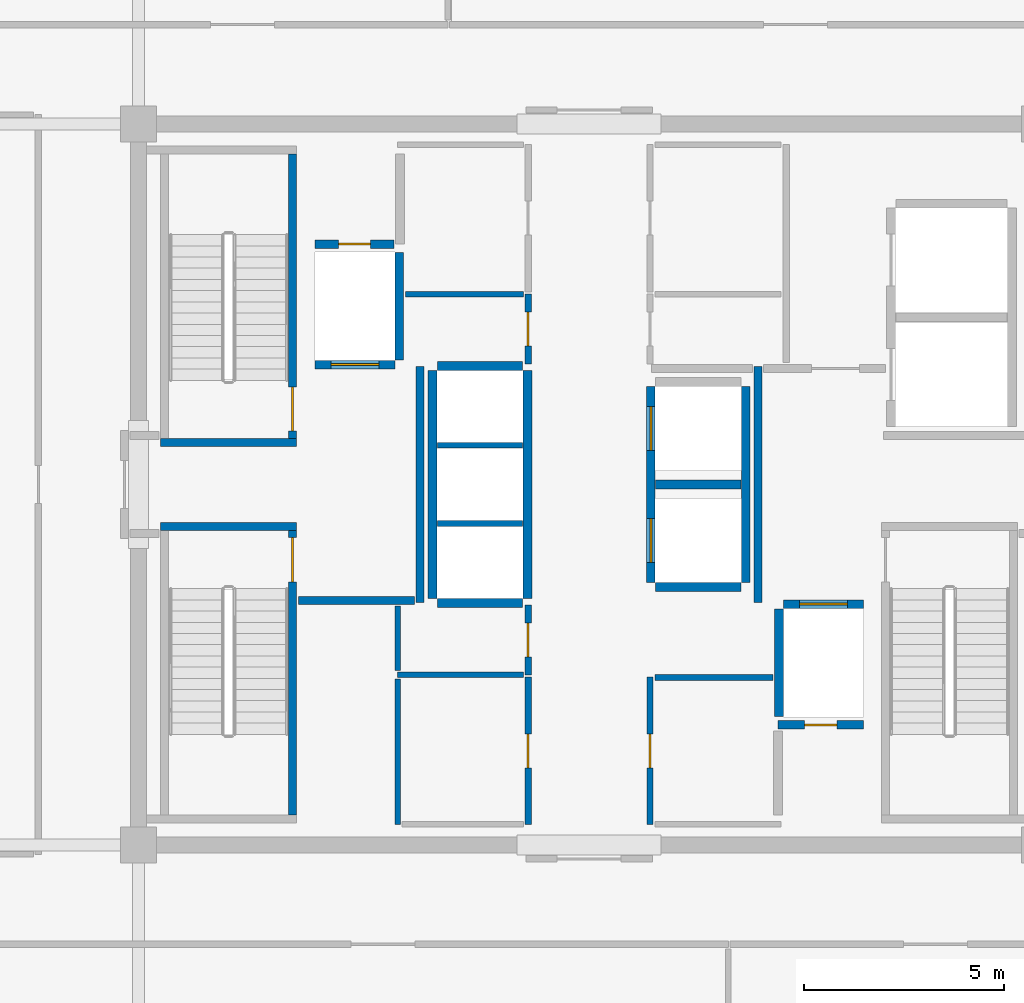
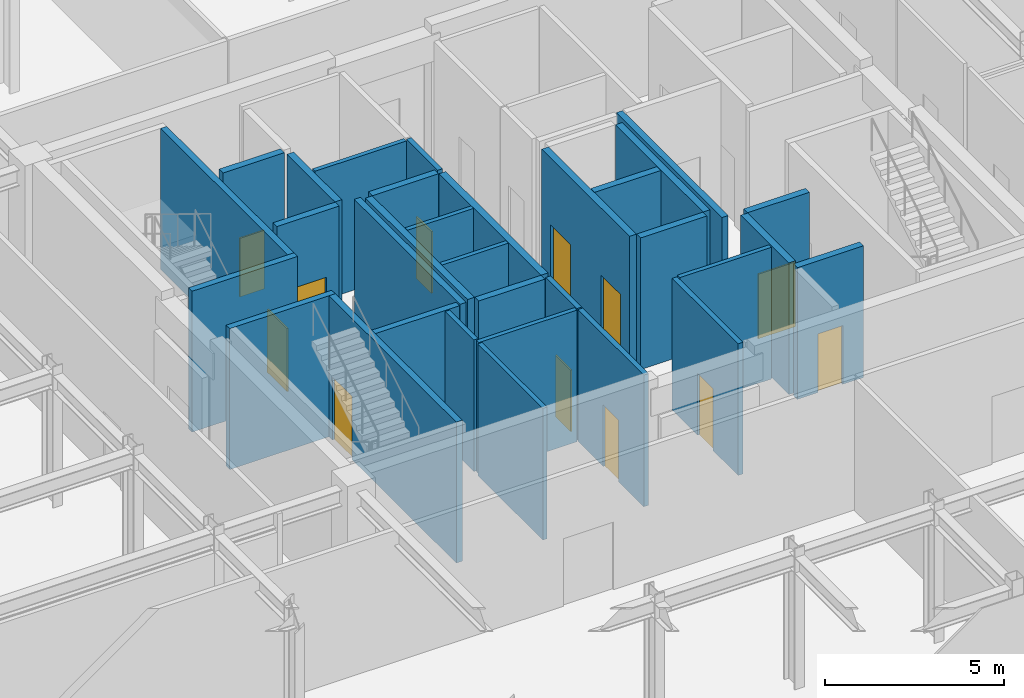
# One storey, part 13 of 17: 32 walls, 12 doors, 12 openings.
"""IFC4 building model written with IfcOpenShell, lengths in metres."""

from ifc_helpers import new_model, si_unit, direction, frame, frame_2d, origin, place, context, subcontext, project, spatial, rectangle, extrude, source, transform, mapped, material, layer, layer_set, type_object, element, fill, save


model = new_model("IFC4")

# Units and contexts
model_context = context("Model", 3, precision=1e-05, world=origin(), true_north=direction((0.0, 1.0)))
body_context = subcontext(model_context, "Body", "Model", "MODEL_VIEW")
ifc_project = project(units=[si_unit("LENGTHUNIT", "METRE"), si_unit("AREAUNIT", "SQUARE_METRE"), si_unit("VOLUMEUNIT", "CUBIC_METRE"), si_unit("PLANEANGLEUNIT", "RADIAN"), si_unit("MASSUNIT", "GRAM", prefix="KILO")], contexts=[model_context])

# Site, building, storey
site_placement = place(None, origin())
site = spatial("IfcSite", under=ifc_project, at=site_placement, CompositionType="ELEMENT")
building_placement = place(site_placement, origin())
building = spatial("IfcBuilding", under=site, at=building_placement, Name="Nefas-Gora Pilgrimage Tower", CompositionType="ELEMENT")
storey_placement = place(building_placement, frame((0.0, 0.0, 349.0)))
storey = spatial("IfcBuildingStorey", under=building, at=storey_placement, Name="L88", CompositionType="ELEMENT", Elevation=349.0)

# Walls
ifc_material_1 = material(Name="Concrete C45/55", Category="concrete")
ifc_layer_1 = layer(ifc_material_1, 0.199951171875)
ifc_layer_set_1 = layer_set([ifc_layer_1], Name="Concrete C45/55")
wall_type_1 = type_object("IfcWallType", Name="IW-STAIR-200", PredefinedType="SOLIDWALL", material=ifc_layer_set_1)
shared_shape_1 = source(origin(), body_context, "Body", "SweptSolid", [
    extrude(rectangle(XDim=3.39990234375, YDim=0.199951171875, at=frame_2d((1.699951171875, 0.0))), origin(), (0.0, 0.0, 1.0), 4.800048828125),
])
for number, where, z_axis, x_axis, name in (
    (1, (-7.300048828125, 1.050048828125, 0.0), (0.0, 0.0, 1.0), (-1.0, 0.0, 0.0), "L88 Stairwell Shear Wall ST-01-near"),
    (2, (-10.699951171875, -1.050048828125, 0.0), (0.0, 0.0, 1.0), (1.0, 0.0, 0.0), "L88 Stairwell Shear Wall ST-03-near"),
):
    element("IfcWall", number, at=place(storey_placement, frame(where, z_axis=z_axis, x_axis=x_axis)), inside=storey, type_object=wall_type_1, Name=name, PredefinedType="SOLIDWALL", context=body_context, shape_type="MappedRepresentation", body=[
        mapped(shared_shape_1, transform((0.0, 0.0, 0.0), x_axis=(1.0, 0.0, 0.0), y_axis=(0.0, 1.0, 0.0), z_axis=(0.0, 0.0, 1.0), scale=1.0)),
    ])

# Wall, opening, door
shared_shape_2 = source(origin(), body_context, "Body", "SweptSolid", [
    extrude(rectangle(XDim=7.10009765625, YDim=0.199951171875, at=frame_2d((3.550048828125, 0.0))), origin(), (0.0, 0.0, 1.0), 4.800048828125),
])
wall_1_placement = place(storey_placement, frame((-7.39990234375, 1.14990234375, 0.0), z_axis=(0.0, 0.0, 1.0), x_axis=(0.0, 1.0, 0.0)))
wall_1 = element("IfcWall", 3, at=wall_1_placement, inside=storey, type_object=wall_type_1, Name="L88 Stairwell Shear Wall ST-01-left", PredefinedType="SOLIDWALL", context=body_context, shape_type="MappedRepresentation", body=[
    mapped(shared_shape_2, transform((0.0, 0.0, 0.0), x_axis=(1.0, 0.0, 0.0), y_axis=(0.0, 1.0, 0.0), z_axis=(0.0, 0.0, 1.0), scale=1.0)),
])
opening_1_placement = place(wall_1_placement, frame((0.179931640625, 0.0, 0.0)))
opening_1 = element("IfcOpeningElement", 4, at=opening_1_placement, cuts=wall_1, Name="Opening ID-ST1", PredefinedType="OPENING", context=body_context, shape_type="SweptSolid", body=[
    extrude(rectangle(XDim=1.10009765625, YDim=2.14990234375, at=frame_2d((0.550048828125, 1.074951171875))), frame((0.0, 0.10986328125, 0.0), z_axis=(0.0, -1.0, 0.0), x_axis=(1.0, 0.0, 0.0)), (0.0, 0.0, 1.0), 0.219970703125),
])
ifc_material_2 = material(Name="Painted galvanised steel fire stair door", Category="steel")
door_type_1 = type_object("IfcDoorType", Name="DR-INT-STAIR-1100", OperationType="NOTDEFINED", PredefinedType="DOOR", material=ifc_material_2)
shared_shape_3 = source(origin(), body_context, "Body", "SweptSolid", [
    extrude(rectangle(XDim=1.10009765625, YDim=2.14990234375, at=frame_2d((0.550048828125, 1.074951171875))), frame((0.0, 0.02490234375, 0.0), z_axis=(0.0, -1.0, 0.0), x_axis=(1.0, 0.0, 0.0)), (0.0, 0.0, 1.0), 0.050048828125),
])
door_1_placement = place(opening_1_placement, origin())
door_1 = element("IfcDoor", 5, at=door_1_placement, inside=storey, type_object=door_type_1, Name="L88 Protected Exit Stair Door ST-01", OperationType="SINGLE_SWING_RIGHT", OverallHeight=2.14990234375, OverallWidth=1.10009765625, PredefinedType="DOOR", context=body_context, shape_type="MappedRepresentation", body=[
    mapped(shared_shape_3, transform((0.0, 0.0, 0.0), x_axis=(1.0, 0.0, 0.0), y_axis=(0.0, 1.0, 0.0), z_axis=(0.0, 0.0, 1.0), scale=1.0)),
])
fill(opening_1, door_1)

wall_2_placement = place(storey_placement, frame((-7.39990234375, -1.14990234375, 0.0), z_axis=(0.0, 0.0, 1.0), x_axis=(0.0, -1.0, 0.0)))
wall_2 = element("IfcWall", 6, at=wall_2_placement, inside=storey, type_object=wall_type_1, Name="L88 Stairwell Shear Wall ST-03-right", PredefinedType="SOLIDWALL", context=body_context, shape_type="MappedRepresentation", body=[
    mapped(shared_shape_2, transform((0.0, 0.0, 0.0), x_axis=(1.0, 0.0, 0.0), y_axis=(0.0, 1.0, 0.0), z_axis=(0.0, 0.0, 1.0), scale=1.0)),
])
opening_2_placement = place(wall_2_placement, frame((0.179931640625, 0.0, 0.0)))
opening_2 = element("IfcOpeningElement", 7, at=opening_2_placement, cuts=wall_2, Name="Opening ID-ST1", PredefinedType="OPENING", context=body_context, shape_type="SweptSolid", body=[
    extrude(rectangle(XDim=1.10009765625, YDim=2.14990234375, at=frame_2d((0.550048828125, 1.074951171875))), frame((0.0, 0.10986328125, 0.0), z_axis=(0.0, -1.0, 0.0), x_axis=(1.0, 0.0, 0.0)), (0.0, 0.0, 1.0), 0.219970703125),
])
door_2_placement = place(opening_2_placement, origin())
door_2 = element("IfcDoor", 8, at=door_2_placement, inside=storey, type_object=door_type_1, Name="L88 Protected Exit Stair Door ST-03", OperationType="SINGLE_SWING_RIGHT", OverallHeight=2.14990234375, OverallWidth=1.10009765625, PredefinedType="DOOR", context=body_context, shape_type="MappedRepresentation", body=[
    mapped(shared_shape_3, transform((0.0, 0.0, 0.0), x_axis=(1.0, 0.0, 0.0), y_axis=(0.0, 1.0, 0.0), z_axis=(0.0, 0.0, 1.0), scale=1.0)),
])
fill(opening_2, door_2)

ifc_material_3 = material(Name="Concrete C40/50", Category="concrete")
ifc_layer_2 = layer(ifc_material_3, 0.219970703125)
ifc_layer_set_2 = layer_set([ifc_layer_2], Name="Concrete C40/50")
wall_type_2 = type_object("IfcWallType", Name="IW-SHAFT-220", PredefinedType="SOLIDWALL", material=ifc_layer_set_2)
shared_shape_4 = source(origin(), body_context, "Body", "SweptSolid", [
    extrude(rectangle(XDim=2.0, YDim=0.219970703125, at=frame_2d((1.0, 0.0))), origin(), (0.0, 0.0, 1.0), 4.485107421875),
])
wall_3_placement = place(storey_placement, frame((-6.85009765625, 2.989990234375, 0.0), z_axis=(0.0, 0.0, 1.0), x_axis=(1.0, 0.0, 0.0)))
wall_3 = element("IfcWall", 9, at=wall_3_placement, inside=storey, type_object=wall_type_2, Name="L88 Hoistway Wall FFL-01-S", PredefinedType="SOLIDWALL", context=body_context, shape_type="MappedRepresentation", body=[
    mapped(shared_shape_4, transform((0.0, 0.0, 0.0), x_axis=(1.0, 0.0, 0.0), y_axis=(0.0, 1.0, 0.0), z_axis=(0.0, 0.0, 1.0), scale=1.0)),
])
opening_3_placement = place(wall_3_placement, frame((0.39990234375, 0.0, 0.0)))
opening_3 = element("IfcOpeningElement", 10, at=opening_3_placement, cuts=wall_3, Name="Opening LD-FF", PredefinedType="OPENING", context=body_context, shape_type="SweptSolid", body=[
    extrude(rectangle(XDim=1.199951171875, YDim=2.199951171875, at=frame_2d((0.60009765625, 1.10009765625))), frame((0.0, 0.119873046875, 0.0), z_axis=(0.0, -1.0, 0.0), x_axis=(1.0, 0.0, 0.0)), (0.0, 0.0, 1.0), 0.239990234375),
])
ifc_material_4 = material(Name="Fire-service sliding lift landing door")
door_type_2 = type_object("IfcDoorType", Name="DR-LIFT-FSAE-1200", OperationType="SLIDING_TO_LEFT", PredefinedType="DOOR", material=ifc_material_4)
shared_shape_5 = source(origin(), body_context, "Body", "SweptSolid", [
    extrude(rectangle(XDim=1.199951171875, YDim=2.199951171875, at=frame_2d((0.60009765625, 1.10009765625))), frame((0.0, 0.02490234375, 0.0), z_axis=(0.0, -1.0, 0.0), x_axis=(1.0, 0.0, 0.0)), (0.0, 0.0, 1.0), 0.050048828125),
])
door_3_placement = place(opening_3_placement, origin())
door_3 = element("IfcDoor", 11, at=door_3_placement, inside=storey, type_object=door_type_2, Name="L88 Sliding Lift Landing Door FFL-01", OperationType="SLIDING_TO_LEFT", OverallHeight=2.199951171875, OverallWidth=1.199951171875, PredefinedType="DOOR", context=body_context, shape_type="MappedRepresentation", body=[
    mapped(shared_shape_5, transform((0.0, 0.0, 0.0), x_axis=(1.0, 0.0, 0.0), y_axis=(0.0, 1.0, 0.0), z_axis=(0.0, 0.0, 1.0), scale=1.0)),
])
fill(opening_3, door_3)

wall_4_placement = place(storey_placement, frame((6.85009765625, -2.989990234375, 0.0), z_axis=(0.0, 0.0, 1.0), x_axis=(-1.0, 0.0, 0.0)))
wall_4 = element("IfcWall", 12, at=wall_4_placement, inside=storey, type_object=wall_type_2, Name="L88 Hoistway Wall FFL-02-N", PredefinedType="SOLIDWALL", context=body_context, shape_type="MappedRepresentation", body=[
    mapped(shared_shape_4, transform((0.0, 0.0, 0.0), x_axis=(1.0, 0.0, 0.0), y_axis=(0.0, 1.0, 0.0), z_axis=(0.0, 0.0, 1.0), scale=1.0)),
])
opening_4_placement = place(wall_4_placement, frame((0.39990234375, 0.0, 0.0)))
opening_4 = element("IfcOpeningElement", 13, at=opening_4_placement, cuts=wall_4, Name="Opening LD-FF", PredefinedType="OPENING", context=body_context, shape_type="SweptSolid", body=[
    extrude(rectangle(XDim=1.199951171875, YDim=2.199951171875, at=frame_2d((0.60009765625, 1.10009765625))), frame((0.0, 0.119873046875, 0.0), z_axis=(0.0, -1.0, 0.0), x_axis=(1.0, 0.0, 0.0)), (0.0, 0.0, 1.0), 0.239990234375),
])
door_4_placement = place(opening_4_placement, origin())
door_4 = element("IfcDoor", 14, at=door_4_placement, inside=storey, type_object=door_type_2, Name="L88 Sliding Lift Landing Door FFL-02", OperationType="SLIDING_TO_LEFT", OverallHeight=2.199951171875, OverallWidth=1.199951171875, PredefinedType="DOOR", context=body_context, shape_type="MappedRepresentation", body=[
    mapped(shared_shape_5, transform((0.0, 0.0, 0.0), x_axis=(1.0, 0.0, 0.0), y_axis=(0.0, 1.0, 0.0), z_axis=(0.0, 0.0, 1.0), scale=1.0)),
])
fill(opening_4, door_4)

# Walls
shared_shape_6 = source(origin(), body_context, "Body", "SweptSolid", [
    extrude(rectangle(XDim=2.679931640625, YDim=0.219970703125, at=frame_2d((1.33984375, 0.0))), origin(), (0.0, 0.0, 1.0), 4.485107421875),
])
for number, where, z_axis, x_axis, name in (
    (15, (-4.739990234375, 3.110107421875, 0.0), (0.0, 0.0, 1.0), (0.0, 1.0, 0.0), "L88 Hoistway Wall FFL-01-E"),
    (16, (4.739990234375, -3.110107421875, 0.0), (0.0, 0.0, 1.0), (0.0, -1.0, 0.0), "L88 Hoistway Wall FFL-02-W"),
):
    element("IfcWall", number, at=place(storey_placement, frame(where, z_axis=z_axis, x_axis=x_axis)), inside=storey, type_object=wall_type_2, Name=name, PredefinedType="SOLIDWALL", context=body_context, shape_type="MappedRepresentation", body=[
        mapped(shared_shape_6, transform((0.0, 0.0, 0.0), x_axis=(1.0, 0.0, 0.0), y_axis=(0.0, 1.0, 0.0), z_axis=(0.0, 0.0, 1.0), scale=1.0)),
    ])
shared_shape_7 = source(origin(), body_context, "Body", "SweptSolid", [
    extrude(rectangle(XDim=5.7001953125, YDim=0.219970703125, at=frame_2d((2.85009765625, 0.0))), origin(), (0.0, 0.0, 1.0), 4.485107421875),
])
for number, where, z_axis, x_axis, name in (
    (17, (-1.5400390625, -2.85009765625, 0.0), (0.0, 0.0, 1.0), (0.0, 1.0, 0.0), "L88 Hoistway Wall PL3-01-03-E"),
    (18, (-3.909912109375, 2.85009765625, 0.0), (0.0, 0.0, 1.0), (0.0, -1.0, 0.0), "L88 Hoistway Wall PL3-01-03-W"),
):
    element("IfcWall", number, at=place(storey_placement, frame(where, z_axis=z_axis, x_axis=x_axis)), inside=storey, type_object=wall_type_2, Name=name, PredefinedType="SOLIDWALL", context=body_context, shape_type="MappedRepresentation", body=[
        mapped(shared_shape_7, transform((0.0, 0.0, 0.0), x_axis=(1.0, 0.0, 0.0), y_axis=(0.0, 1.0, 0.0), z_axis=(0.0, 0.0, 1.0), scale=1.0)),
    ])
shared_shape_8 = source(origin(), body_context, "Body", "SweptSolid", [
    extrude(rectangle(XDim=2.130126953125, YDim=0.219970703125, at=frame_2d((1.06494140625, 0.0))), origin(), (0.0, 0.0, 1.0), 4.485107421875),
])
for number, where, z_axis, x_axis, name in (
    (19, (-3.7900390625, -2.9599609375, 0.0), (0.0, 0.0, 1.0), (1.0, 0.0, 0.0), "L88 Hoistway Wall PL3-01-S"),
    (20, (-1.659912109375, 2.9599609375, 0.0), (0.0, 0.0, 1.0), (-1.0, 0.0, 0.0), "L88 Hoistway Wall PL3-03-N"),
    (21, (1.659912109375, -2.56005859375, 0.0), (0.0, 0.0, 1.0), (1.0, 0.0, 0.0), "L88 Hoistway Wall OBS-01-S"),
    (22, (1.659912109375, 0.0, 0.0), (0.0, 0.0, 1.0), (1.0, 0.0, 0.0), "L88 Hoistway Wall OBS-01-02-DIV"),
):
    element("IfcWall", number, at=place(storey_placement, frame(where, z_axis=z_axis, x_axis=x_axis)), inside=storey, type_object=wall_type_2, Name=name, PredefinedType="SOLIDWALL", context=body_context, shape_type="MappedRepresentation", body=[
        mapped(shared_shape_8, transform((0.0, 0.0, 0.0), x_axis=(1.0, 0.0, 0.0), y_axis=(0.0, 1.0, 0.0), z_axis=(0.0, 0.0, 1.0), scale=1.0)),
    ])

# Wall, opening, door
wall_5_placement = place(storey_placement, frame((4.719970703125, -6.0, 0.0), z_axis=(0.0, 0.0, 1.0), x_axis=(1.0, 0.0, 0.0)))
wall_5 = element("IfcWall", 23, at=wall_5_placement, inside=storey, type_object=wall_type_2, Name="L88 Riser Shaft Wall 3", PredefinedType="SOLIDWALL", context=body_context, shape_type="MappedRepresentation", body=[
    mapped(shared_shape_8, transform((0.0, 0.0, 0.0), x_axis=(1.0, 0.0, 0.0), y_axis=(0.0, 1.0, 0.0), z_axis=(0.0, 0.0, 1.0), scale=1.0)),
])
opening_5_placement = place(wall_5_placement, frame((0.6650390625, 0.0, 0.0)))
opening_5 = element("IfcOpeningElement", 24, at=opening_5_placement, cuts=wall_5, Name="Opening ID-TR1", PredefinedType="OPENING", context=body_context, shape_type="SweptSolid", body=[
    extrude(rectangle(XDim=0.800048828125, YDim=2.0, at=frame_2d((0.39990234375, 1.0))), frame((0.0, 0.119873046875, 0.0), z_axis=(0.0, -1.0, 0.0), x_axis=(1.0, 0.0, 0.0)), (0.0, 0.0, 1.0), 0.239990234375),
])
ifc_material_5 = material(Name="Riser maintenance fire access door")
door_type_3 = type_object("IfcDoorType", Name="DR-INT-TRAP-800", OperationType="NOTDEFINED", PredefinedType="TRAPDOOR", material=ifc_material_5)
shared_shape_9 = source(origin(), body_context, "Body", "SweptSolid", [
    extrude(rectangle(XDim=0.800048828125, YDim=2.0, at=frame_2d((0.39990234375, 1.0))), frame((0.0, 0.02490234375, 0.0), z_axis=(0.0, -1.0, 0.0), x_axis=(1.0, 0.0, 0.0)), (0.0, 0.0, 1.0), 0.050048828125),
])
door_5_placement = place(opening_5_placement, origin())
door_5 = element("IfcDoor", 25, at=door_5_placement, inside=storey, type_object=door_type_3, Name="L88 Riser Shaft Door 2", OperationType="SINGLE_SWING_RIGHT", OverallHeight=2.0, OverallWidth=0.800048828125, PredefinedType="TRAPDOOR", context=body_context, shape_type="MappedRepresentation", body=[
    mapped(shared_shape_9, transform((0.0, 0.0, 0.0), x_axis=(1.0, 0.0, 0.0), y_axis=(0.0, 1.0, 0.0), z_axis=(0.0, 0.0, 1.0), scale=1.0)),
])
fill(opening_5, door_5)

# Walls
ifc_material_6 = material(Name="Gypsum twin-stud partition")
ifc_layer_3 = layer(ifc_material_6, 0.139892578125)
ifc_layer_set_3 = layer_set([ifc_layer_3], Name="Gypsum twin-stud partition")
wall_type_3 = type_object("IfcWallType", Name="IW-UNIT-140", PredefinedType="PARTITIONING", material=ifc_layer_set_3)
shared_shape_10 = source(origin(), body_context, "Body", "SweptSolid", [
    extrude(rectangle(XDim=2.130126953125, YDim=0.139892578125, at=frame_2d((1.06494140625, 0.0))), origin(), (0.0, 0.0, 1.0), 4.485107421875),
])
for number, where, z_axis, x_axis, name in (
    (26, (-3.7900390625, -0.97509765625, 0.0), (0.0, 0.0, 1.0), (1.0, 0.0, 0.0), "L88 Hoistway Wall PL3-01-02-DIV"),
    (27, (-3.7900390625, 0.97509765625, 0.0), (0.0, 0.0, 1.0), (1.0, 0.0, 0.0), "L88 Hoistway Wall PL3-02-03-DIV"),
):
    element("IfcWall", number, at=place(storey_placement, frame(where, z_axis=z_axis, x_axis=x_axis)), inside=storey, type_object=wall_type_3, Name=name, PredefinedType="PARTITIONING", context=body_context, shape_type="MappedRepresentation", body=[
        mapped(shared_shape_10, transform((0.0, 0.0, 0.0), x_axis=(1.0, 0.0, 0.0), y_axis=(0.0, 1.0, 0.0), z_axis=(0.0, 0.0, 1.0), scale=1.0)),
    ])

# Wall, openings, doors
shared_shape_11 = source(origin(), body_context, "Body", "SweptSolid", [
    extrude(rectangle(XDim=4.89990234375, YDim=0.219970703125, at=frame_2d((2.449951171875, 0.0))), origin(), (0.0, 0.0, 1.0), 4.485107421875),
])
wall_6_placement = place(storey_placement, frame((1.5400390625, 2.449951171875, 0.0), z_axis=(0.0, 0.0, 1.0), x_axis=(0.0, -1.0, 0.0)))
wall_6 = element("IfcWall", 28, at=wall_6_placement, inside=storey, type_object=wall_type_2, Name="L88 Hoistway Wall OBS-01-02-W", PredefinedType="SOLIDWALL", context=body_context, shape_type="MappedRepresentation", body=[
    mapped(shared_shape_11, transform((0.0, 0.0, 0.0), x_axis=(1.0, 0.0, 0.0), y_axis=(0.0, 1.0, 0.0), z_axis=(0.0, 0.0, 1.0), scale=1.0)),
])
opening_6_placement = place(wall_6_placement, frame((3.300048828125, 0.0, 0.0)))
opening_6 = element("IfcOpeningElement", 29, at=opening_6_placement, cuts=wall_6, Name="Opening LD-01", PredefinedType="OPENING", context=body_context, shape_type="SweptSolid", body=[
    extrude(rectangle(XDim=1.10009765625, YDim=2.199951171875, at=frame_2d((0.550048828125, 1.10009765625))), frame((0.0, 0.119873046875, 0.0), z_axis=(0.0, -1.0, 0.0), x_axis=(1.0, 0.0, 0.0)), (0.0, 0.0, 1.0), 0.239990234375),
])
opening_7_placement = place(wall_6_placement, frame((0.5, 0.0, 0.0)))
opening_7 = element("IfcOpeningElement", 30, at=opening_7_placement, cuts=wall_6, Name="Opening LD-01", PredefinedType="OPENING", context=body_context, shape_type="SweptSolid", body=[
    extrude(rectangle(XDim=1.10009765625, YDim=2.199951171875, at=frame_2d((0.550048828125, 1.10009765625))), frame((0.0, 0.119873046875, 0.0), z_axis=(0.0, -1.0, 0.0), x_axis=(1.0, 0.0, 0.0)), (0.0, 0.0, 1.0), 0.239990234375),
])
ifc_material_7 = material(Name="Brushed stainless sliding lift landing door")
door_type_4 = type_object("IfcDoorType", Name="DR-LIFT-PASS-1100", OperationType="DOUBLE_DOOR_SLIDING", PredefinedType="DOOR", material=ifc_material_7)
shared_shape_12 = source(origin(), body_context, "Body", "SweptSolid", [
    extrude(rectangle(XDim=1.10009765625, YDim=2.199951171875, at=frame_2d((0.550048828125, 1.10009765625))), frame((0.0, 0.02490234375, 0.0), z_axis=(0.0, -1.0, 0.0), x_axis=(1.0, 0.0, 0.0)), (0.0, 0.0, 1.0), 0.050048828125),
])
door_6_placement = place(opening_6_placement, origin())
door_6 = element("IfcDoor", 31, at=door_6_placement, inside=storey, type_object=door_type_4, Name="L88 Sliding Lift Landing Door OBS-01", OperationType="DOUBLE_DOOR_SLIDING", OverallHeight=2.199951171875, OverallWidth=1.10009765625, PredefinedType="DOOR", context=body_context, shape_type="MappedRepresentation", body=[
    mapped(shared_shape_12, transform((0.0, 0.0, 0.0), x_axis=(1.0, 0.0, 0.0), y_axis=(0.0, 1.0, 0.0), z_axis=(0.0, 0.0, 1.0), scale=1.0)),
])
fill(opening_6, door_6)
door_7_placement = place(opening_7_placement, origin())
door_7 = element("IfcDoor", 32, at=door_7_placement, inside=storey, type_object=door_type_4, Name="L88 Sliding Lift Landing Door OBS-02", OperationType="DOUBLE_DOOR_SLIDING", OverallHeight=2.199951171875, OverallWidth=1.10009765625, PredefinedType="DOOR", context=body_context, shape_type="MappedRepresentation", body=[
    mapped(shared_shape_12, transform((0.0, 0.0, 0.0), x_axis=(1.0, 0.0, 0.0), y_axis=(0.0, 1.0, 0.0), z_axis=(0.0, 0.0, 1.0), scale=1.0)),
])
fill(opening_7, door_7)

# Wall
wall_7_placement = place(storey_placement, frame((3.909912109375, -2.449951171875, 0.0), z_axis=(0.0, 0.0, 1.0), x_axis=(0.0, 1.0, 0.0)))
element("IfcWall", 33, at=wall_7_placement, inside=storey, type_object=wall_type_2, Name="L88 Hoistway Wall OBS-01-02-E", PredefinedType="SOLIDWALL", context=body_context, shape_type="MappedRepresentation", body=[
    mapped(shared_shape_11, transform((0.0, 0.0, 0.0), x_axis=(1.0, 0.0, 0.0), y_axis=(0.0, 1.0, 0.0), z_axis=(0.0, 0.0, 1.0), scale=1.0)),
])

# Wall, opening, door
shared_shape_13 = source(origin(), body_context, "Body", "SweptSolid", [
    extrude(rectangle(XDim=1.97998046875, YDim=0.219970703125, at=frame_2d((0.989990234375, 0.0))), origin(), (0.0, 0.0, 1.0), 4.485107421875),
])
wall_8_placement = place(storey_placement, frame((-6.85009765625, 6.0, 0.0), z_axis=(0.0, 0.0, 1.0), x_axis=(1.0, 0.0, 0.0)))
wall_8 = element("IfcWall", 34, at=wall_8_placement, inside=storey, type_object=wall_type_2, Name="L88 Riser Shaft Wall 2", PredefinedType="SOLIDWALL", context=body_context, shape_type="MappedRepresentation", body=[
    mapped(shared_shape_13, transform((0.0, 0.0, 0.0), x_axis=(1.0, 0.0, 0.0), y_axis=(0.0, 1.0, 0.0), z_axis=(0.0, 0.0, 1.0), scale=1.0)),
])
opening_8_placement = place(wall_8_placement, frame((0.590087890625, 0.0, 0.0)))
opening_8 = element("IfcOpeningElement", 35, at=opening_8_placement, cuts=wall_8, Name="Opening ID-TR1", PredefinedType="OPENING", context=body_context, shape_type="SweptSolid", body=[
    extrude(rectangle(XDim=0.800048828125, YDim=2.0, at=frame_2d((0.39990234375, 1.0))), frame((0.0, 0.119873046875, 0.0), z_axis=(0.0, -1.0, 0.0), x_axis=(1.0, 0.0, 0.0)), (0.0, 0.0, 1.0), 0.239990234375),
])
door_8_placement = place(opening_8_placement, origin())
door_8 = element("IfcDoor", 36, at=door_8_placement, inside=storey, type_object=door_type_3, Name="L88 Riser Shaft Door 1", OperationType="SINGLE_SWING_LEFT", OverallHeight=2.0, OverallWidth=0.800048828125, PredefinedType="TRAPDOOR", context=body_context, shape_type="MappedRepresentation", body=[
    mapped(shared_shape_9, transform((0.0, 0.0, 0.0), x_axis=(1.0, 0.0, 0.0), y_axis=(0.0, 1.0, 0.0), z_axis=(0.0, 0.0, 1.0), scale=1.0)),
])
fill(opening_8, door_8)

# Walls
ifc_material_8 = material(Name="Gypsum fire-rated shaftwall")
ifc_layer_4 = layer(ifc_material_8, 0.199951171875)
ifc_layer_set_4 = layer_set([ifc_layer_4], Name="Gypsum fire-rated shaftwall")
wall_type_4 = type_object("IfcWallType", Name="IW-FFLOB-200", PredefinedType="PARTITIONING", material=ifc_layer_set_4)
shared_shape_14 = source(origin(), body_context, "Body", "SweptSolid", [
    extrude(rectangle(XDim=5.89990234375, YDim=0.199951171875, at=frame_2d((2.949951171875, 0.0))), origin(), (0.0, 0.0, 1.0), 4.485107421875),
])
for number, where, z_axis, x_axis, name in (
    (37, (-4.219970703125, -2.949951171875, 0.0), (0.0, 0.0, 1.0), (0.0, 1.0, 0.0), "L88 FF Lobby West Inner Wall Wall 6"),
    (38, (4.219970703125, -2.949951171875, 0.0), (0.0, 0.0, 1.0), (0.0, 1.0, 0.0), "L88 FF Lobby East Inner Wall Wall 11"),
):
    element("IfcWall", number, at=place(storey_placement, frame(where, z_axis=z_axis, x_axis=x_axis)), inside=storey, type_object=wall_type_4, Name=name, PredefinedType="PARTITIONING", context=body_context, shape_type="MappedRepresentation", body=[
        mapped(shared_shape_14, transform((0.0, 0.0, 0.0), x_axis=(1.0, 0.0, 0.0), y_axis=(0.0, 1.0, 0.0), z_axis=(0.0, 0.0, 1.0), scale=1.0)),
    ])
shared_shape_15 = source(origin(), body_context, "Body", "SweptSolid", [
    extrude(rectangle(XDim=2.89990234375, YDim=0.199951171875, at=frame_2d((1.449951171875, 0.0))), origin(), (0.0, 0.0, 1.0), 4.485107421875),
])
wall_9_placement = place(storey_placement, frame((-7.260009765625, -2.89990234375, 0.0), z_axis=(0.0, 0.0, 1.0), x_axis=(1.0, 0.0, 0.0)))
element("IfcWall", 39, at=wall_9_placement, inside=storey, type_object=wall_type_4, Name="L88 FF Lobby West South Wall Wall 7", PredefinedType="PARTITIONING", context=body_context, shape_type="MappedRepresentation", body=[
    mapped(shared_shape_15, transform((0.0, 0.0, 0.0), x_axis=(1.0, 0.0, 0.0), y_axis=(0.0, 1.0, 0.0), z_axis=(0.0, 0.0, 1.0), scale=1.0)),
])

# Wall, opening, door
ifc_material_9 = material(Name="Gypsum acoustic stud partition")
ifc_layer_5 = layer(ifc_material_9, 0.159912109375)
ifc_layer_set_5 = layer_set([ifc_layer_5], Name="Gypsum acoustic stud partition")
wall_type_5 = type_object("IfcWallType", Name="IW-CORR-160", PredefinedType="PARTITIONING", material=ifc_layer_set_5)
shared_shape_16 = source(origin(), body_context, "Body", "SweptSolid", [
    extrude(rectangle(XDim=1.75, YDim=0.159912109375, at=frame_2d((0.875, 0.0))), origin(), (0.0, 0.0, 1.0), 4.485107421875),
])
wall_10_placement = place(storey_placement, frame((-1.52001953125, 3.010009765625, 0.0), z_axis=(0.0, 0.0, 1.0), x_axis=(0.0, 1.0, 0.0)))
wall_10 = element("IfcWall", 40, at=wall_10_placement, inside=storey, type_object=wall_type_5, Name="L88 Housekeeping and Linen Store Wall 19", PredefinedType="PARTITIONING", context=body_context, shape_type="MappedRepresentation", body=[
    mapped(shared_shape_16, transform((0.0, 0.0, 0.0), x_axis=(1.0, 0.0, 0.0), y_axis=(0.0, 1.0, 0.0), z_axis=(0.0, 0.0, 1.0), scale=1.0)),
])
opening_9_placement = place(wall_10_placement, frame((0.449951171875, 0.0, 0.0)))
opening_9 = element("IfcOpeningElement", 41, at=opening_9_placement, cuts=wall_10, Name="Opening ID-BT1", PredefinedType="OPENING", context=body_context, shape_type="SweptSolid", body=[
    extrude(rectangle(XDim=0.85009765625, YDim=2.10009765625, at=frame_2d((0.425048828125, 1.050048828125))), frame((0.0, 0.08984375, 0.0), z_axis=(0.0, -1.0, 0.0), x_axis=(1.0, 0.0, 0.0)), (0.0, 0.0, 1.0), 0.179931640625),
])
ifc_material_10 = material(Name="Moisture-resistant fire-rated timber door", Category="wood")
door_type_5 = type_object("IfcDoorType", Name="DR-INT-BATH-850", OperationType="NOTDEFINED", PredefinedType="DOOR", material=ifc_material_10)
shared_shape_17 = source(origin(), body_context, "Body", "SweptSolid", [
    extrude(rectangle(XDim=0.85009765625, YDim=2.10009765625, at=frame_2d((0.425048828125, 1.050048828125))), frame((0.0, 0.02490234375, 0.0), z_axis=(0.0, -1.0, 0.0), x_axis=(1.0, 0.0, 0.0)), (0.0, 0.0, 1.0), 0.050048828125),
])
door_9_placement = place(opening_9_placement, origin())
door_9 = element("IfcDoor", 42, at=door_9_placement, inside=storey, type_object=door_type_5, Name="L88 Housekeeping and Linen Store Door 8", OperationType="SINGLE_SWING_RIGHT", OverallHeight=2.10009765625, OverallWidth=0.85009765625, PredefinedType="DOOR", context=body_context, shape_type="MappedRepresentation", body=[
    mapped(shared_shape_17, transform((0.0, 0.0, 0.0), x_axis=(1.0, 0.0, 0.0), y_axis=(0.0, 1.0, 0.0), z_axis=(0.0, 0.0, 1.0), scale=1.0)),
])
fill(opening_9, door_9)

wall_11_placement = place(storey_placement, frame((-1.52001953125, -4.760009765625, 0.0), z_axis=(0.0, 0.0, 1.0), x_axis=(0.0, 1.0, 0.0)))
wall_11 = element("IfcWall", 43, at=wall_11_placement, inside=storey, type_object=wall_type_5, Name="L88 Guest Self-Service Laundry Room Wall 27", PredefinedType="PARTITIONING", context=body_context, shape_type="MappedRepresentation", body=[
    mapped(shared_shape_16, transform((0.0, 0.0, 0.0), x_axis=(1.0, 0.0, 0.0), y_axis=(0.0, 1.0, 0.0), z_axis=(0.0, 0.0, 1.0), scale=1.0)),
])
opening_10_placement = place(wall_11_placement, frame((0.449951171875, 0.0, 0.0)))
opening_10 = element("IfcOpeningElement", 44, at=opening_10_placement, cuts=wall_11, Name="Opening ID-BT1", PredefinedType="OPENING", context=body_context, shape_type="SweptSolid", body=[
    extrude(rectangle(XDim=0.85009765625, YDim=2.10009765625, at=frame_2d((0.425048828125, 1.050048828125))), frame((0.0, 0.08984375, 0.0), z_axis=(0.0, -1.0, 0.0), x_axis=(1.0, 0.0, 0.0)), (0.0, 0.0, 1.0), 0.179931640625),
])
door_10_placement = place(opening_10_placement, origin())
door_10 = element("IfcDoor", 45, at=door_10_placement, inside=storey, type_object=door_type_5, Name="L88 Guest Self-Service Laundry Room Door 12", OperationType="SINGLE_SWING_RIGHT", OverallHeight=2.10009765625, OverallWidth=0.85009765625, PredefinedType="DOOR", context=body_context, shape_type="MappedRepresentation", body=[
    mapped(shared_shape_17, transform((0.0, 0.0, 0.0), x_axis=(1.0, 0.0, 0.0), y_axis=(0.0, 1.0, 0.0), z_axis=(0.0, 0.0, 1.0), scale=1.0)),
])
fill(opening_10, door_10)

# Walls
shared_shape_18 = source(origin(), body_context, "Body", "SweptSolid", [
    extrude(rectangle(XDim=2.9501953125, YDim=0.139892578125, at=frame_2d((1.47509765625, 0.0))), origin(), (0.0, 0.0, 1.0), 4.485107421875),
])
for number, where, z_axis, x_axis, name in (
    (46, (-4.590087890625, 4.75, 0.0), (0.0, 0.0, 1.0), (1.0, 0.0, 0.0), "L88 Housekeeping and Linen Store Partition Wall 20"),
    (47, (1.639892578125, -4.820068359375, 0.0), (0.0, 0.0, 1.0), (1.0, 0.0, 0.0), "L88 High-Rise Tableware Store Partition Wall 34"),
):
    element("IfcWall", number, at=place(storey_placement, frame(where, z_axis=z_axis, x_axis=x_axis)), inside=storey, type_object=wall_type_3, Name=name, PredefinedType="PARTITIONING", context=body_context, shape_type="MappedRepresentation", body=[
        mapped(shared_shape_18, transform((0.0, 0.0, 0.0), x_axis=(1.0, 0.0, 0.0), y_axis=(0.0, 1.0, 0.0), z_axis=(0.0, 0.0, 1.0), scale=1.0)),
    ])

# Wall, opening, door
shared_shape_19 = source(origin(), body_context, "Body", "SweptSolid", [
    extrude(rectangle(XDim=3.679931640625, YDim=0.159912109375, at=frame_2d((1.83984375, 0.0))), origin(), (0.0, 0.0, 1.0), 4.485107421875),
])
wall_12_placement = place(storey_placement, frame((-1.52001953125, -8.489990234375, 0.0), z_axis=(0.0, 0.0, 1.0), x_axis=(0.0, 1.0, 0.0)))
wall_12 = element("IfcWall", 48, at=wall_12_placement, inside=storey, type_object=wall_type_5, Name="L88 High-Rise Linen Store Wall 30", PredefinedType="PARTITIONING", context=body_context, shape_type="MappedRepresentation", body=[
    mapped(shared_shape_19, transform((0.0, 0.0, 0.0), x_axis=(1.0, 0.0, 0.0), y_axis=(0.0, 1.0, 0.0), z_axis=(0.0, 0.0, 1.0), scale=1.0)),
])
opening_11_placement = place(wall_12_placement, frame((1.4150390625, 0.0, 0.0)))
opening_11 = element("IfcOpeningElement", 49, at=opening_11_placement, cuts=wall_12, Name="Opening ID-BT1", PredefinedType="OPENING", context=body_context, shape_type="SweptSolid", body=[
    extrude(rectangle(XDim=0.85009765625, YDim=2.10009765625, at=frame_2d((0.425048828125, 1.050048828125))), frame((0.0, 0.08984375, 0.0), z_axis=(0.0, -1.0, 0.0), x_axis=(1.0, 0.0, 0.0)), (0.0, 0.0, 1.0), 0.179931640625),
])
door_11_placement = place(opening_11_placement, origin())
door_11 = element("IfcDoor", 50, at=door_11_placement, inside=storey, type_object=door_type_5, Name="L88 High-Rise Linen Store Door 13", OperationType="SINGLE_SWING_LEFT", OverallHeight=2.10009765625, OverallWidth=0.85009765625, PredefinedType="DOOR", context=body_context, shape_type="MappedRepresentation", body=[
    mapped(shared_shape_17, transform((0.0, 0.0, 0.0), x_axis=(1.0, 0.0, 0.0), y_axis=(0.0, 1.0, 0.0), z_axis=(0.0, 0.0, 1.0), scale=1.0)),
])
fill(opening_11, door_11)

wall_13_placement = place(storey_placement, frame((1.52001953125, -8.489990234375, 0.0), z_axis=(0.0, 0.0, 1.0), x_axis=(0.0, 1.0, 0.0)))
wall_13 = element("IfcWall", 51, at=wall_13_placement, inside=storey, type_object=wall_type_5, Name="L88 High-Rise Tableware Store Wall 33", PredefinedType="PARTITIONING", context=body_context, shape_type="MappedRepresentation", body=[
    mapped(shared_shape_19, transform((0.0, 0.0, 0.0), x_axis=(1.0, 0.0, 0.0), y_axis=(0.0, 1.0, 0.0), z_axis=(0.0, 0.0, 1.0), scale=1.0)),
])
opening_12_placement = place(wall_13_placement, frame((1.4150390625, 0.0, 0.0)))
opening_12 = element("IfcOpeningElement", 52, at=opening_12_placement, cuts=wall_13, Name="Opening ID-BT1", PredefinedType="OPENING", context=body_context, shape_type="SweptSolid", body=[
    extrude(rectangle(XDim=0.85009765625, YDim=2.10009765625, at=frame_2d((0.425048828125, 1.050048828125))), frame((0.0, 0.08984375, 0.0), z_axis=(0.0, -1.0, 0.0), x_axis=(1.0, 0.0, 0.0)), (0.0, 0.0, 1.0), 0.179931640625),
])
door_12_placement = place(opening_12_placement, origin())
door_12 = element("IfcDoor", 53, at=door_12_placement, inside=storey, type_object=door_type_5, Name="L88 High-Rise Tableware Store Door 14", OperationType="SINGLE_SWING_RIGHT", OverallHeight=2.10009765625, OverallWidth=0.85009765625, PredefinedType="DOOR", context=body_context, shape_type="MappedRepresentation", body=[
    mapped(shared_shape_17, transform((0.0, 0.0, 0.0), x_axis=(1.0, 0.0, 0.0), y_axis=(0.0, 1.0, 0.0), z_axis=(0.0, 0.0, 1.0), scale=1.0)),
])
fill(opening_12, door_12)

# Walls
shared_shape_20 = source(origin(), body_context, "Body", "SweptSolid", [
    extrude(rectangle(XDim=3.150146484375, YDim=0.139892578125, at=frame_2d((1.5751953125, 0.0))), origin(), (0.0, 0.0, 1.0), 4.485107421875),
])
wall_14_placement = place(storey_placement, frame((-4.7900390625, -4.75, 0.0), z_axis=(0.0, 0.0, 1.0), x_axis=(1.0, 0.0, 0.0)))
element("IfcWall", 54, at=wall_14_placement, inside=storey, type_object=wall_type_3, Name="L88 Guest Self-Service Laundry Room Partition Wall 28", PredefinedType="PARTITIONING", context=body_context, shape_type="MappedRepresentation", body=[
    mapped(shared_shape_20, transform((0.0, 0.0, 0.0), x_axis=(1.0, 0.0, 0.0), y_axis=(0.0, 1.0, 0.0), z_axis=(0.0, 0.0, 1.0), scale=1.0)),
])
shared_shape_21 = source(origin(), body_context, "Body", "SweptSolid", [
    extrude(rectangle(XDim=1.599853515625, YDim=0.139892578125, at=frame_2d((0.7998046875, 0.0))), origin(), (0.0, 0.0, 1.0), 4.485107421875),
])
wall_15_placement = place(storey_placement, frame((-4.780029296875, -4.639892578125, 0.0), z_axis=(0.0, 0.0, 1.0), x_axis=(0.0, 1.0, 0.0)))
element("IfcWall", 55, at=wall_15_placement, inside=storey, type_object=wall_type_3, Name="L88 Guest Self-Service Laundry Room Partition Wall 29", PredefinedType="PARTITIONING", context=body_context, shape_type="MappedRepresentation", body=[
    mapped(shared_shape_21, transform((0.0, 0.0, 0.0), x_axis=(1.0, 0.0, 0.0), y_axis=(0.0, 1.0, 0.0), z_axis=(0.0, 0.0, 1.0), scale=1.0)),
])
shared_shape_22 = source(origin(), body_context, "Body", "SweptSolid", [
    extrude(rectangle(XDim=3.6298828125, YDim=0.139892578125, at=frame_2d((1.81494140625, 0.0))), origin(), (0.0, 0.0, 1.0), 4.485107421875),
])
wall_16_placement = place(storey_placement, frame((-4.780029296875, -8.489990234375, 0.0), z_axis=(0.0, 0.0, 1.0), x_axis=(0.0, 1.0, 0.0)))
element("IfcWall", 56, at=wall_16_placement, inside=storey, type_object=wall_type_3, Name="L88 High-Rise Linen Store Partition Wall 31", PredefinedType="PARTITIONING", context=body_context, shape_type="MappedRepresentation", body=[
    mapped(shared_shape_22, transform((0.0, 0.0, 0.0), x_axis=(1.0, 0.0, 0.0), y_axis=(0.0, 1.0, 0.0), z_axis=(0.0, 0.0, 1.0), scale=1.0)),
])

save(model, "model.ifc")
